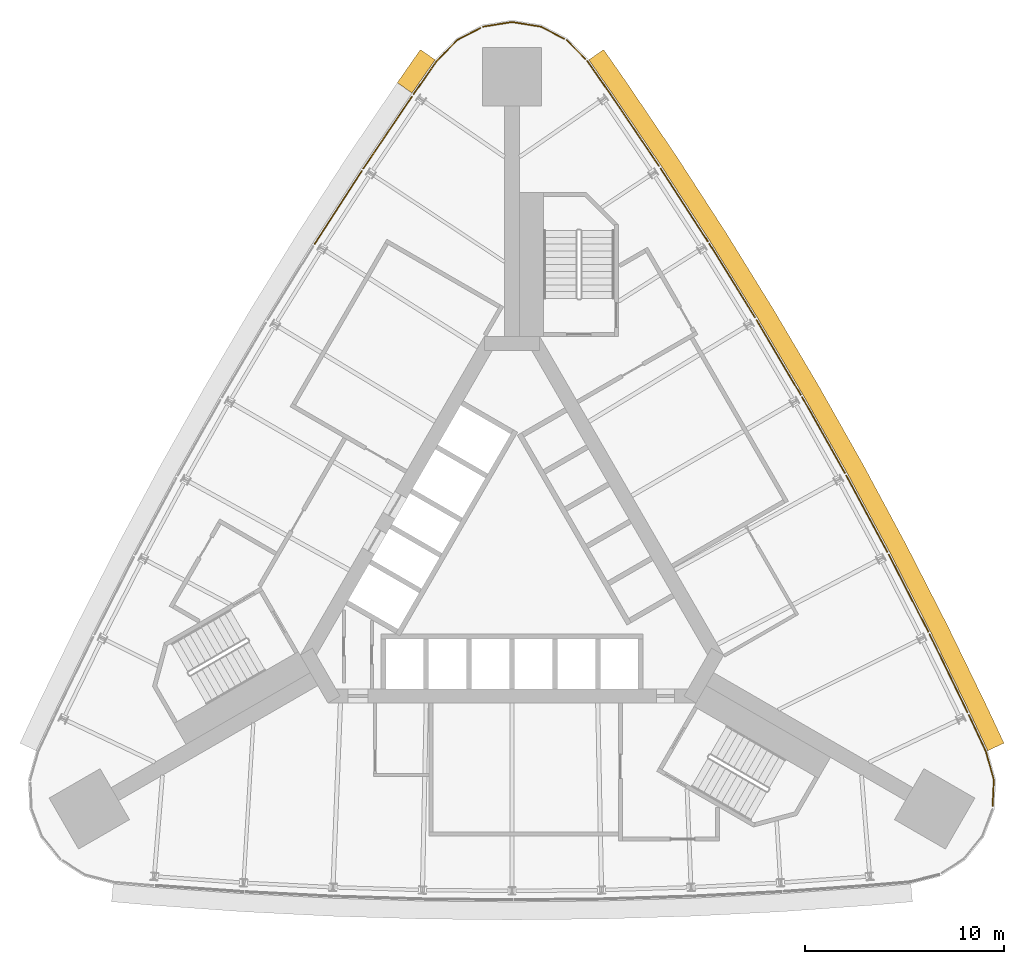
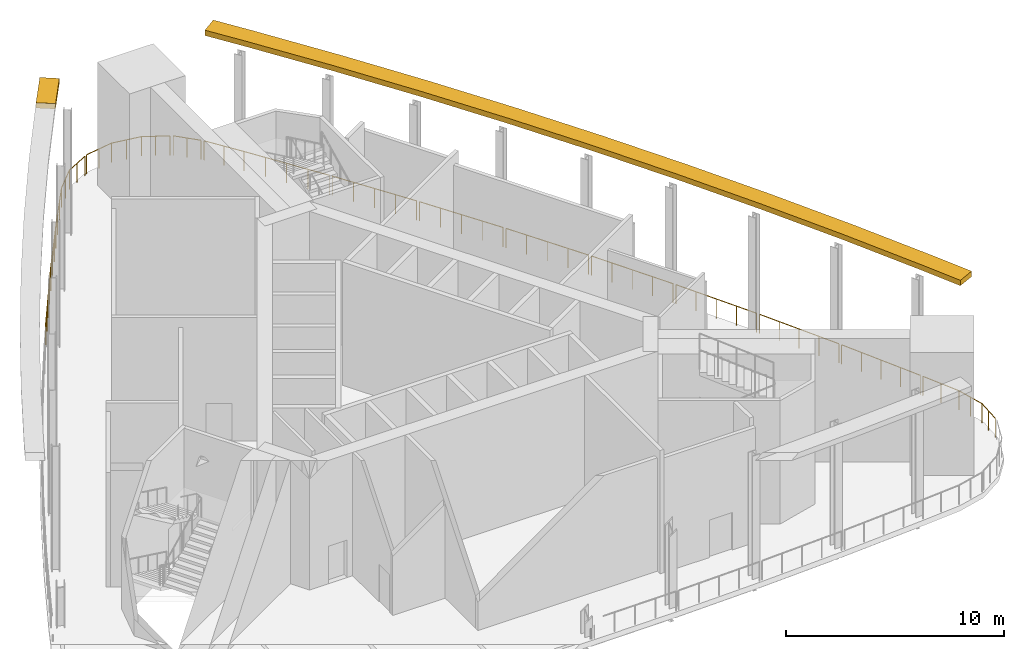
# One storey, part 7 of 7: 14 railings, 2 shading devices.
"""IFC4 building model written with IfcOpenShell, lengths in metres."""

from ifc_helpers import new_model, si_unit, direction, frame, origin, origin_2d, place, context, subcontext, project, spatial, polyline, circle, outline, extrude, material, type_object, element, save


model = new_model("IFC4")

# Units and contexts
model_context = context("Model", 3, precision=1e-05, world=origin(), true_north=direction((0.0, 1.0)))
body_context = subcontext(model_context, "Body", "Model", "MODEL_VIEW")
ifc_project = project(units=[si_unit("LENGTHUNIT", "METRE"), si_unit("AREAUNIT", "SQUARE_METRE"), si_unit("VOLUMEUNIT", "CUBIC_METRE"), si_unit("PLANEANGLEUNIT", "RADIAN"), si_unit("MASSUNIT", "GRAM", prefix="KILO")], contexts=[model_context])

# Site, building, storey
site_placement = place(None, origin())
site = spatial("IfcSite", under=ifc_project, at=site_placement, CompositionType="ELEMENT")
building_placement = place(site_placement, origin())
building = spatial("IfcBuilding", under=site, at=building_placement, Name="Noor Cloister Tower", CompositionType="ELEMENT")
storey_placement = place(building_placement, frame((0.0, 0.0, 127.5)))
storey = spatial("IfcBuildingStorey", under=building, at=storey_placement, Name="L33", CompositionType="ELEMENT", Elevation=127.5)

# Shading devices
ifc_material_1 = material(Name="Limestone", Category="masonry")
shading_device_type = type_object("IfcShadingDeviceType", Name="SUNSHADE limestone band 900", PredefinedType="USERDEFINED", material=ifc_material_1)
shading_device_1_placement = place(storey_placement, frame((0.0, 0.0, 6.89990234375)))
element("IfcShadingDevice", 1, at=shading_device_1_placement, inside=storey, type_object=shading_device_type, Name="SUNSHADE L33 3", ObjectType="SUNSHADE", PredefinedType="USERDEFINED", context=body_context, shape_type="SweptSolid", body=[
    extrude(outline(polyline([(24.666748046875, -8.93994140625), (23.80517578125, -7.099365234375), (21.83056640625, -3.0380859375), (19.772705078125, 0.984130859375), (17.6337890625, 4.964111328125), (15.41455078125, 8.899658203125), (13.115966796875, 12.789306640625), (10.73876953125, 16.631591796875), (8.2841796875, 20.4248046875), (5.75439453125, 24.16552734375), (4.59130859375, 25.83203125), (3.853271484375, 25.31689453125), (5.0126953125, 23.65576171875), (7.533447265625, 19.92822265625), (9.978271484375, 16.150390625), (12.345703125, 12.323486328125), (14.635009765625, 8.449462890625), (16.845458984375, 4.52978515625), (18.9755859375, 0.566162109375), (21.025146484375, -3.43994140625), (22.992919921875, -7.48681640625), (23.851806640625, -9.321533203125), (24.666748046875, -8.93994140625)])), origin(), (0.0, 0.0, 1.0), 0.300048828125),
])
shading_device_2_placement = place(storey_placement, frame((0.0, 0.0, 6.89990234375)))
element("IfcShadingDevice", 2, at=shading_device_2_placement, inside=storey, type_object=shading_device_type, Name="SUNSHADE L33 4", ObjectType="SUNSHADE", PredefinedType="USERDEFINED", context=body_context, shape_type="SweptSolid", body=[
    extrude(outline(polyline([(-4.59130859375, 25.83203125), (-5.750732421875, 24.1708984375), (-5.0126953125, 23.65576171875), (-3.853271484375, 25.31689453125), (-4.59130859375, 25.83203125)])), origin(), (0.0, 0.0, 1.0), 0.300048828125),
])

# Railings
ifc_material_2 = material(Name="Stainless steel grade 316", Category="steel")
railing_type = type_object("IfcRailingType", Name="Wind floor guard 1100", PredefinedType="GUARDRAIL", material=ifc_material_2)
railing_1_placement = place(storey_placement, frame((3.77587890625, 25.2529296875, 0.0)))
element("IfcRailing", 3, at=railing_1_placement, inside=storey, type_object=railing_type, Name="Wind floor guard L33 1", PredefinedType="GUARDRAIL", context=body_context, shape_type="SweptSolid", body=[
    extrude(circle(Radius=0.02392578125, at=origin_2d()), frame((0.0, 0.0, 1.076171875), z_axis=(0.572340641287, -0.820015969559, 0.0), x_axis=(0.820015969559, 0.572340641287, 0.0)), (0.0, 0.0, 1.0), 2.016845703125),
    extrude(circle(Radius=0.02392578125, at=origin_2d()), frame((1.154296875, -1.65380859375, 1.076171875), z_axis=(0.560194932438, -0.828360813698, 0.0), x_axis=(0.828360813698, 0.560194932438, 0.0)), (0.0, 0.0, 1.0), 4.34814453125),
    extrude(circle(Radius=0.02099609375, at=origin_2d()), origin(), (0.0, 0.0, 1.0), 1.052001953125),
    extrude(circle(Radius=0.02099609375, at=origin_2d()), frame((0.5771484375, -0.826904296875, 0.0)), (0.0, 0.0, 1.0), 1.052001953125),
    extrude(circle(Radius=0.02099609375, at=origin_2d()), frame((1.154296875, -1.65380859375, 0.0)), (0.0, 0.0, 1.0), 1.052001953125),
    extrude(circle(Radius=0.02099609375, at=origin_2d()), frame((1.76318359375, -2.55419921875, 0.0)), (0.0, 0.0, 1.0), 1.052001953125),
    extrude(circle(Radius=0.02099609375, at=origin_2d()), frame((2.3720703125, -3.45458984375, 0.0)), (0.0, 0.0, 1.0), 1.052001953125),
    extrude(circle(Radius=0.02099609375, at=origin_2d()), frame((2.981201171875, -4.355224609375, 0.0)), (0.0, 0.0, 1.0), 1.052001953125),
    extrude(circle(Radius=0.02099609375, at=origin_2d()), frame((3.590087890625, -5.255615234375, 0.0)), (0.0, 0.0, 1.0), 1.052001953125),
])
railing_2_placement = place(storey_placement, frame((7.449951171875, 19.873046875, 0.0)))
element("IfcRailing", 4, at=railing_2_placement, inside=storey, type_object=railing_type, Name="Wind floor guard L33 2", PredefinedType="GUARDRAIL", context=body_context, shape_type="SweptSolid", body=[
    extrude(circle(Radius=0.02392578125, at=origin_2d()), frame((0.0, 0.0, 1.076171875), z_axis=(0.543323451575, -0.839523452304, 0.0), x_axis=(0.839523452304, 0.543323451575, 0.0)), (0.0, 0.0, 1.0), 4.347900390625),
    extrude(circle(Radius=0.02099609375, at=origin_2d()), origin(), (0.0, 0.0, 1.0), 1.052001953125),
    extrude(circle(Radius=0.02099609375, at=origin_2d()), frame((0.590576171875, -0.91259765625, 0.0)), (0.0, 0.0, 1.0), 1.052001953125),
    extrude(circle(Radius=0.02099609375, at=origin_2d()), frame((1.18115234375, -1.8251953125, 0.0)), (0.0, 0.0, 1.0), 1.052001953125),
    extrude(circle(Radius=0.02099609375, at=origin_2d()), frame((1.771728515625, -2.737548828125, 0.0)), (0.0, 0.0, 1.0), 1.052001953125),
    extrude(circle(Radius=0.02099609375, at=origin_2d()), frame((2.3623046875, -3.650146484375, 0.0)), (0.0, 0.0, 1.0), 1.052001953125),
])
railing_3_placement = place(storey_placement, frame((9.8935546875, 16.096923828125, 0.0)))
element("IfcRailing", 5, at=railing_3_placement, inside=storey, type_object=railing_type, Name="Wind floor guard L33 3", PredefinedType="GUARDRAIL", context=body_context, shape_type="SweptSolid", body=[
    extrude(circle(Radius=0.02392578125, at=origin_2d()), frame((0.0, 0.0, 1.076171875), z_axis=(0.526132294985, -0.850402732929, 0.0), x_axis=(0.850402732929, 0.526132294985, 0.0)), (0.0, 0.0, 1.0), 4.347900390625),
    extrude(circle(Radius=0.02099609375, at=origin_2d()), origin(), (0.0, 0.0, 1.0), 1.052001953125),
    extrude(circle(Radius=0.02099609375, at=origin_2d()), frame((0.57177734375, -0.92431640625, 0.0)), (0.0, 0.0, 1.0), 1.052001953125),
    extrude(circle(Radius=0.02099609375, at=origin_2d()), frame((1.143798828125, -1.8486328125, 0.0)), (0.0, 0.0, 1.0), 1.052001953125),
    extrude(circle(Radius=0.02099609375, at=origin_2d()), frame((1.7158203125, -2.773193359375, 0.0)), (0.0, 0.0, 1.0), 1.052001953125),
    extrude(circle(Radius=0.02099609375, at=origin_2d()), frame((2.28759765625, -3.697509765625, 0.0)), (0.0, 0.0, 1.0), 1.052001953125),
])
railing_4_placement = place(storey_placement, frame((12.26025390625, 12.271728515625, 0.0)))
element("IfcRailing", 6, at=railing_4_placement, inside=storey, type_object=railing_type, Name="Wind floor guard L33 4", PredefinedType="GUARDRAIL", context=body_context, shape_type="SweptSolid", body=[
    extrude(circle(Radius=0.02392578125, at=origin_2d()), frame((0.0, 0.0, 1.076171875), z_axis=(0.508761473875, -0.860907522734, 0.0), x_axis=(0.860907522734, 0.508761473875, 0.0)), (0.0, 0.0, 1.0), 4.34765625),
    extrude(circle(Radius=0.02099609375, at=origin_2d()), origin(), (0.0, 0.0, 1.0), 1.052001953125),
    extrude(circle(Radius=0.02099609375, at=origin_2d()), frame((0.552978515625, -0.935791015625, 0.0)), (0.0, 0.0, 1.0), 1.052001953125),
    extrude(circle(Radius=0.02099609375, at=origin_2d()), frame((1.10595703125, -1.87158203125, 0.0)), (0.0, 0.0, 1.0), 1.052001953125),
    extrude(circle(Radius=0.02099609375, at=origin_2d()), frame((1.658935546875, -2.80712890625, 0.0)), (0.0, 0.0, 1.0), 1.052001953125),
    extrude(circle(Radius=0.02099609375, at=origin_2d()), frame((2.2119140625, -3.742919921875, 0.0)), (0.0, 0.0, 1.0), 1.052001953125),
])
railing_5_placement = place(storey_placement, frame((14.548583984375, 8.399658203125, 0.0)))
element("IfcRailing", 7, at=railing_5_placement, inside=storey, type_object=railing_type, Name="Wind floor guard L33 5", PredefinedType="GUARDRAIL", context=body_context, shape_type="SweptSolid", body=[
    extrude(circle(Radius=0.02392578125, at=origin_2d()), frame((0.0, 0.0, 1.076171875), z_axis=(0.491154068719, -0.871072718423, 0.0), x_axis=(0.871072718423, 0.491154068719, 0.0)), (0.0, 0.0, 1.0), 4.347900390625),
    extrude(circle(Radius=0.02099609375, at=origin_2d()), origin(), (0.0, 0.0, 1.0), 1.052001953125),
    extrude(circle(Radius=0.02099609375, at=origin_2d()), frame((0.533935546875, -0.94677734375, 0.0)), (0.0, 0.0, 1.0), 1.052001953125),
    extrude(circle(Radius=0.02099609375, at=origin_2d()), frame((1.06787109375, -1.8935546875, 0.0)), (0.0, 0.0, 1.0), 1.052001953125),
    extrude(circle(Radius=0.02099609375, at=origin_2d()), frame((1.6015625, -2.840576171875, 0.0)), (0.0, 0.0, 1.0), 1.052001953125),
    extrude(circle(Radius=0.02099609375, at=origin_2d()), frame((2.135498046875, -3.787353515625, 0.0)), (0.0, 0.0, 1.0), 1.052001953125),
])
railing_6_placement = place(storey_placement, frame((16.7578125, 4.481689453125, 0.0)))
element("IfcRailing", 8, at=railing_6_placement, inside=storey, type_object=railing_type, Name="Wind floor guard L33 6", PredefinedType="GUARDRAIL", context=body_context, shape_type="SweptSolid", body=[
    extrude(circle(Radius=0.02392578125, at=origin_2d()), frame((0.0, 0.0, 1.076171875), z_axis=(0.473409894808, -0.880842251199, 0.0), x_axis=(0.880842251199, 0.473409894808, 0.0)), (0.0, 0.0, 1.0), 4.347900390625),
    extrude(circle(Radius=0.02099609375, at=origin_2d()), origin(), (0.0, 0.0, 1.0), 1.052001953125),
    extrude(circle(Radius=0.02099609375, at=origin_2d()), frame((0.5146484375, -0.95751953125, 0.0)), (0.0, 0.0, 1.0), 1.052001953125),
    extrude(circle(Radius=0.02099609375, at=origin_2d()), frame((1.029296875, -1.9150390625, 0.0)), (0.0, 0.0, 1.0), 1.052001953125),
    extrude(circle(Radius=0.02099609375, at=origin_2d()), frame((1.543701171875, -2.872314453125, 0.0)), (0.0, 0.0, 1.0), 1.052001953125),
    extrude(circle(Radius=0.02099609375, at=origin_2d()), frame((2.058349609375, -3.829833984375, 0.0)), (0.0, 0.0, 1.0), 1.052001953125),
])
railing_7_placement = place(storey_placement, frame((18.88720703125, 0.519775390625, 0.0)))
element("IfcRailing", 9, at=railing_7_placement, inside=storey, type_object=railing_type, Name="Wind floor guard L33 7", PredefinedType="GUARDRAIL", context=body_context, shape_type="SweptSolid", body=[
    extrude(circle(Radius=0.02392578125, at=origin_2d()), frame((0.0, 0.0, 1.076171875), z_axis=(0.455437511735, -0.89026775349, 0.0), x_axis=(0.89026775349, 0.455437511735, 0.0)), (0.0, 0.0, 1.0), 4.347900390625),
    extrude(circle(Radius=0.02099609375, at=origin_2d()), origin(), (0.0, 0.0, 1.0), 1.052001953125),
    extrude(circle(Radius=0.02099609375, at=origin_2d()), frame((0.4951171875, -0.9677734375, 0.0)), (0.0, 0.0, 1.0), 1.052001953125),
    extrude(circle(Radius=0.02099609375, at=origin_2d()), frame((0.990234375, -1.935546875, 0.0)), (0.0, 0.0, 1.0), 1.052001953125),
    extrude(circle(Radius=0.02099609375, at=origin_2d()), frame((1.485107421875, -2.903076171875, 0.0)), (0.0, 0.0, 1.0), 1.052001953125),
    extrude(circle(Radius=0.02099609375, at=origin_2d()), frame((1.980224609375, -3.870849609375, 0.0)), (0.0, 0.0, 1.0), 1.052001953125),
])
railing_8_placement = place(storey_placement, frame((20.935546875, -3.484619140625, 0.0)))
element("IfcRailing", 10, at=railing_8_placement, inside=storey, type_object=railing_type, Name="Wind floor guard L33 8", PredefinedType="GUARDRAIL", context=body_context, shape_type="SweptSolid", body=[
    extrude(circle(Radius=0.02392578125, at=origin_2d()), frame((0.0, 0.0, 1.076171875), z_axis=(0.437281644636, -0.899324615066, 0.0), x_axis=(0.899324615066, 0.437281644636, 0.0)), (0.0, 0.0, 1.0), 4.34814453125),
    extrude(circle(Radius=0.02099609375, at=origin_2d()), origin(), (0.0, 0.0, 1.0), 1.052001953125),
    extrude(circle(Radius=0.02099609375, at=origin_2d()), frame((0.475341796875, -0.9775390625, 0.0)), (0.0, 0.0, 1.0), 1.052001953125),
    extrude(circle(Radius=0.02099609375, at=origin_2d()), frame((0.95068359375, -1.955078125, 0.0)), (0.0, 0.0, 1.0), 1.052001953125),
    extrude(circle(Radius=0.02099609375, at=origin_2d()), frame((1.426025390625, -2.932861328125, 0.0)), (0.0, 0.0, 1.0), 1.052001953125),
    extrude(circle(Radius=0.02099609375, at=origin_2d()), frame((1.9013671875, -3.910400390625, 0.0)), (0.0, 0.0, 1.0), 1.052001953125),
])
railing_9_placement = place(storey_placement, frame((22.902587890625, -7.530029296875, 0.0)))
element("IfcRailing", 11, at=railing_9_placement, inside=storey, type_object=railing_type, Name="Wind floor guard L33 9", PredefinedType="GUARDRAIL", context=body_context, shape_type="SweptSolid", body=[
    extrude(circle(Radius=0.02392578125, at=origin_2d()), frame((0.0, 0.0, 1.076171875), z_axis=(0.423965460501, -0.905678358084, 0.0), x_axis=(0.905678358084, 0.423965460501, 0.0)), (0.0, 0.0, 1.0), 2.0166015625),
    extrude(circle(Radius=0.02392578125, at=origin_2d()), frame((0.85498046875, -1.826416015625, 1.076171875), z_axis=(0.270515159658, -0.962715715253, 0.0), x_axis=(0.962715715253, 0.270515159658, 0.0)), (0.0, 0.0, 1.0), 1.472900390625),
    extrude(circle(Radius=0.02392578125, at=origin_2d()), frame((1.25341796875, -3.244384765625, 1.076171875), z_axis=(-0.045112915866, -0.998981894141, 0.0), x_axis=(0.998981894141, -0.045112915866, 0.0)), (0.0, 0.0, 1.0), 1.31494140625),
    extrude(circle(Radius=0.02099609375, at=origin_2d()), origin(), (0.0, 0.0, 1.0), 1.052001953125),
    extrude(circle(Radius=0.02099609375, at=origin_2d()), frame((0.427490234375, -0.9130859375, 0.0)), (0.0, 0.0, 1.0), 1.052001953125),
    extrude(circle(Radius=0.02099609375, at=origin_2d()), frame((0.85498046875, -1.826416015625, 0.0)), (0.0, 0.0, 1.0), 1.052001953125),
    extrude(circle(Radius=0.02099609375, at=origin_2d()), frame((1.05419921875, -2.535400390625, 0.0)), (0.0, 0.0, 1.0), 1.052001953125),
    extrude(circle(Radius=0.02099609375, at=origin_2d()), frame((1.25341796875, -3.244384765625, 0.0)), (0.0, 0.0, 1.0), 1.052001953125),
    extrude(circle(Radius=0.02099609375, at=origin_2d()), frame((1.2236328125, -3.9013671875, 0.0)), (0.0, 0.0, 1.0), 1.052001953125),
    extrude(circle(Radius=0.02099609375, at=origin_2d()), frame((1.194091796875, -4.55810546875, 0.0)), (0.0, 0.0, 1.0), 1.052001953125),
])
railing_10_placement = place(storey_placement, frame((-9.8935546875, 16.096923828125, 0.0)))
element("IfcRailing", 12, at=railing_10_placement, inside=storey, type_object=railing_type, Name="Wind floor guard L33 27", PredefinedType="GUARDRAIL", context=body_context, shape_type="SweptSolid", body=[
    extrude(circle(Radius=0.02392578125, at=origin_2d()), frame((0.0, 0.0, 1.076171875), z_axis=(0.543283874095, 0.839549064765, 0.0), x_axis=(-0.839549064765, 0.543283874095, 0.0)), (0.0, 0.0, 1.0), 4.34765625),
    extrude(circle(Radius=0.02099609375, at=origin_2d()), origin(), (0.0, 0.0, 1.0), 1.052001953125),
    extrude(circle(Radius=0.02099609375, at=origin_2d()), frame((0.590576171875, 0.91259765625, 0.0)), (0.0, 0.0, 1.0), 1.052001953125),
    extrude(circle(Radius=0.02099609375, at=origin_2d()), frame((1.18115234375, 1.8251953125, 0.0)), (0.0, 0.0, 1.0), 1.052001953125),
    extrude(circle(Radius=0.02099609375, at=origin_2d()), frame((1.771484375, 2.737548828125, 0.0)), (0.0, 0.0, 1.0), 1.052001953125),
    extrude(circle(Radius=0.02099609375, at=origin_2d()), frame((2.362060546875, 3.650146484375, 0.0)), (0.0, 0.0, 1.0), 1.052001953125),
])
railing_11_placement = place(storey_placement, frame((-7.449951171875, 19.873046875, 0.0)))
element("IfcRailing", 13, at=railing_11_placement, inside=storey, type_object=railing_type, Name="Wind floor guard L33 28", PredefinedType="GUARDRAIL", context=body_context, shape_type="SweptSolid", body=[
    extrude(circle(Radius=0.02392578125, at=origin_2d()), frame((0.0, 0.0, 1.076171875), z_axis=(0.560194932438, 0.828360813698, 0.0), x_axis=(-0.828360813698, 0.560194932438, 0.0)), (0.0, 0.0, 1.0), 4.34814453125),
    extrude(circle(Radius=0.02099609375, at=origin_2d()), origin(), (0.0, 0.0, 1.0), 1.052001953125),
    extrude(circle(Radius=0.02099609375, at=origin_2d()), frame((0.60888671875, 0.900390625, 0.0)), (0.0, 0.0, 1.0), 1.052001953125),
    extrude(circle(Radius=0.02099609375, at=origin_2d()), frame((1.2177734375, 1.80078125, 0.0)), (0.0, 0.0, 1.0), 1.052001953125),
    extrude(circle(Radius=0.02099609375, at=origin_2d()), frame((1.826904296875, 2.701416015625, 0.0)), (0.0, 0.0, 1.0), 1.052001953125),
    extrude(circle(Radius=0.02099609375, at=origin_2d()), frame((2.435791015625, 3.601806640625, 0.0)), (0.0, 0.0, 1.0), 1.052001953125),
])
railing_12_placement = place(storey_placement, frame((-4.93017578125, 23.59912109375, 0.0)))
element("IfcRailing", 14, at=railing_12_placement, inside=storey, type_object=railing_type, Name="Wind floor guard L33 29", PredefinedType="GUARDRAIL", context=body_context, shape_type="SweptSolid", body=[
    extrude(circle(Radius=0.02392578125, at=origin_2d()), frame((0.0, 0.0, 1.076171875), z_axis=(0.572340641287, 0.820015969559, 0.0), x_axis=(-0.820015969559, 0.572340641287, 0.0)), (0.0, 0.0, 1.0), 2.016845703125),
    extrude(circle(Radius=0.02392578125, at=origin_2d()), frame((1.154296875, 1.65380859375, 1.076171875), z_axis=(0.69851853652, 0.715591960644, 0.0), x_axis=(-0.715591960644, 0.69851853652, 0.0)), (0.0, 0.0, 1.0), 1.472900390625),
    extrude(circle(Radius=0.02392578125, at=origin_2d()), frame((2.18310546875, 2.707763671875, 1.076171875), z_axis=(0.887720813197, 0.460382186685, 0.0), x_axis=(-0.460382186685, 0.887720813197, 0.0)), (0.0, 0.0, 1.0), 1.315185546875),
    extrude(circle(Radius=0.02099609375, at=origin_2d()), origin(), (0.0, 0.0, 1.0), 1.052001953125),
    extrude(circle(Radius=0.02099609375, at=origin_2d()), frame((0.5771484375, 0.826904296875, 0.0)), (0.0, 0.0, 1.0), 1.052001953125),
    extrude(circle(Radius=0.02099609375, at=origin_2d()), frame((1.154296875, 1.65380859375, 0.0)), (0.0, 0.0, 1.0), 1.052001953125),
    extrude(circle(Radius=0.02099609375, at=origin_2d()), frame((1.668701171875, 2.1806640625, 0.0)), (0.0, 0.0, 1.0), 1.052001953125),
    extrude(circle(Radius=0.02099609375, at=origin_2d()), frame((2.18310546875, 2.707763671875, 0.0)), (0.0, 0.0, 1.0), 1.052001953125),
    extrude(circle(Radius=0.02099609375, at=origin_2d()), frame((2.766845703125, 3.010498046875, 0.0)), (0.0, 0.0, 1.0), 1.052001953125),
    extrude(circle(Radius=0.02099609375, at=origin_2d()), frame((3.3505859375, 3.313232421875, 0.0)), (0.0, 0.0, 1.0), 1.052001953125),
])
railing_13_placement = place(storey_placement, frame((-1.446533203125, 26.9814453125, 0.0)))
element("IfcRailing", 15, at=railing_13_placement, inside=storey, type_object=railing_type, Name="Wind floor guard L33 30", PredefinedType="GUARDRAIL", context=body_context, shape_type="SweptSolid", body=[
    extrude(circle(Radius=0.02392578125, at=origin_2d()), frame((0.0, 0.0, 1.076171875), z_axis=(0.987310317514, 0.158802824066, 0.0), x_axis=(-0.158802824066, 0.987310317514, 0.0)), (0.0, 0.0, 1.0), 1.465087890625),
    extrude(circle(Radius=0.02392578125, at=origin_2d()), frame((1.446533203125, 0.232666015625, 1.076171875), z_axis=(0.987310317514, -0.158802824066, 0.0), x_axis=(0.158802824066, 0.987310317514, 0.0)), (0.0, 0.0, 1.0), 1.465087890625),
    extrude(circle(Radius=0.02392578125, at=origin_2d()), frame((2.89306640625, 0.0, 1.076171875), z_axis=(0.887681457173, -0.460458066051, 0.0), x_axis=(0.460458066051, 0.887681457173, 0.0)), (0.0, 0.0, 1.0), 1.31494140625),
    extrude(circle(Radius=0.02099609375, at=origin_2d()), origin(), (0.0, 0.0, 1.0), 1.052001953125),
    extrude(circle(Radius=0.02099609375, at=origin_2d()), frame((0.72314453125, 0.1162109375, 0.0)), (0.0, 0.0, 1.0), 1.052001953125),
    extrude(circle(Radius=0.02099609375, at=origin_2d()), frame((1.446533203125, 0.232666015625, 0.0)), (0.0, 0.0, 1.0), 1.052001953125),
    extrude(circle(Radius=0.02099609375, at=origin_2d()), frame((2.169921875, 0.1162109375, 0.0)), (0.0, 0.0, 1.0), 1.052001953125),
    extrude(circle(Radius=0.02099609375, at=origin_2d()), frame((2.89306640625, 0.0, 0.0)), (0.0, 0.0, 1.0), 1.052001953125),
    extrude(circle(Radius=0.02099609375, at=origin_2d()), frame((3.4765625, -0.302734375, 0.0)), (0.0, 0.0, 1.0), 1.052001953125),
    extrude(circle(Radius=0.02099609375, at=origin_2d()), frame((4.060302734375, -0.60546875, 0.0)), (0.0, 0.0, 1.0), 1.052001953125),
])
railing_14_placement = place(storey_placement, frame((2.7470703125, 26.306884765625, 0.0)))
element("IfcRailing", 16, at=railing_14_placement, inside=storey, type_object=railing_type, Name="Wind floor guard L33 31", PredefinedType="GUARDRAIL", context=body_context, shape_type="SweptSolid", body=[
    extrude(circle(Radius=0.02392578125, at=origin_2d()), frame((0.0, 0.0, 1.076171875), z_axis=(0.698565975491, -0.715545650456, 0.0), x_axis=(0.715545650456, 0.698565975491, 0.0)), (0.0, 0.0, 1.0), 1.32275390625),
    extrude(circle(Radius=0.02099609375, at=origin_2d()), origin(), (0.0, 0.0, 1.0), 1.052001953125),
    extrude(circle(Radius=0.02099609375, at=origin_2d()), frame((0.4619140625, -0.47314453125, 0.0)), (0.0, 0.0, 1.0), 1.052001953125),
    extrude(circle(Radius=0.02099609375, at=origin_2d()), frame((0.924072265625, -0.946533203125, 0.0)), (0.0, 0.0, 1.0), 1.052001953125),
])

save(model, "model.ifc")
